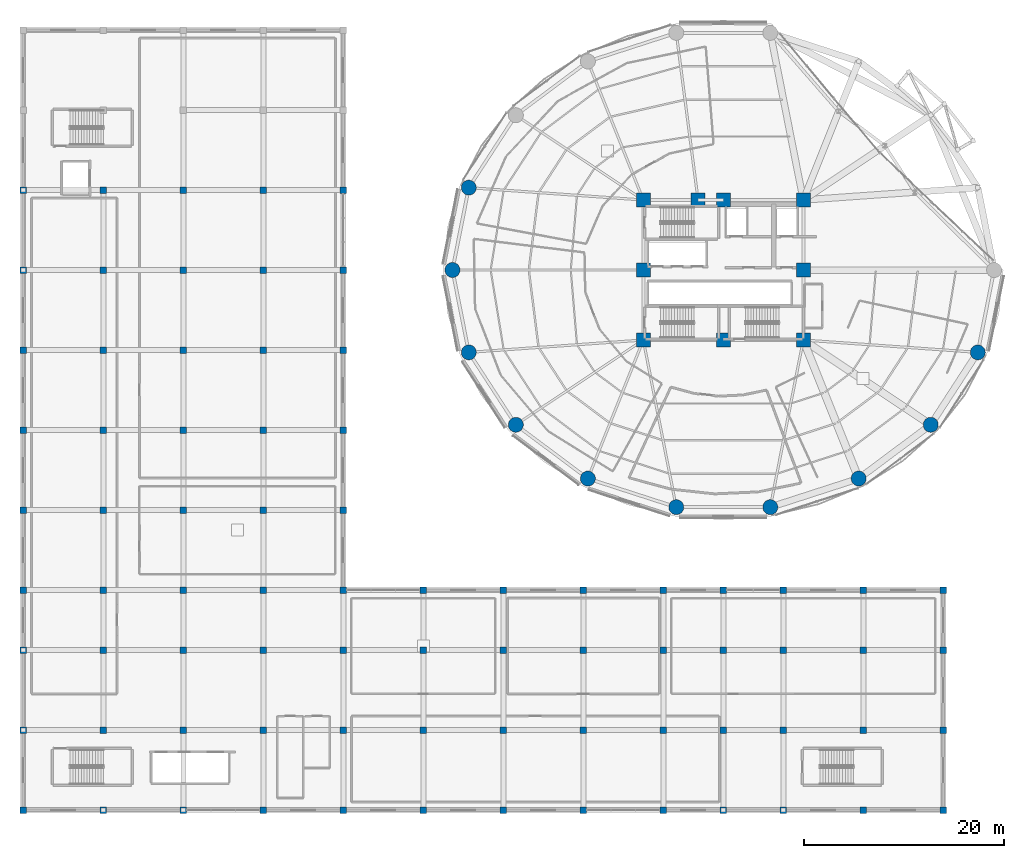
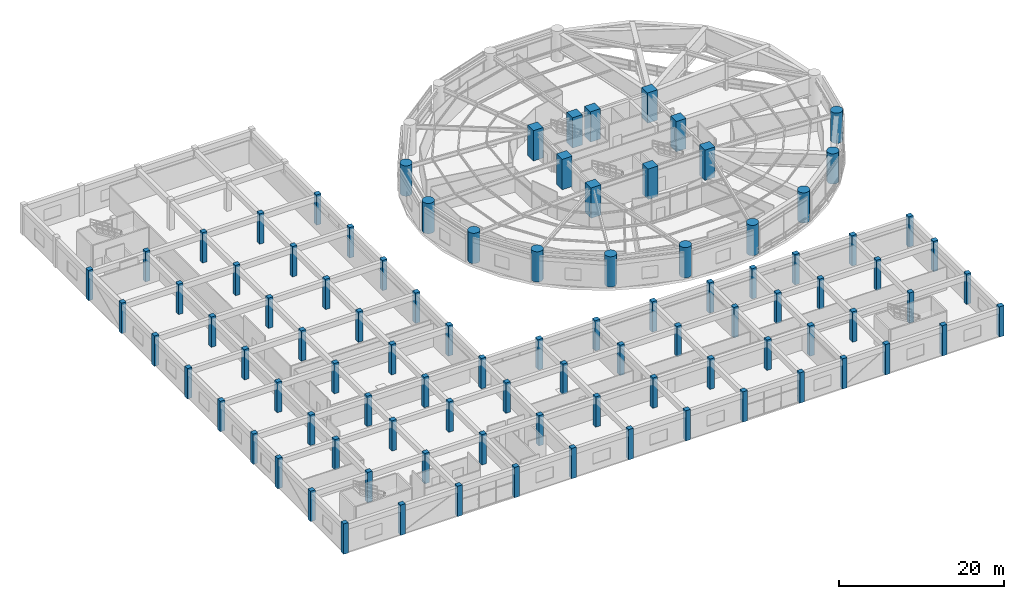
# One storey, part 1 of 52: 96 columns.
"""IFC4 building model written with IfcOpenShell, lengths in metres."""

import ifcopenshell
import ifcopenshell.guid

model = None  # the IFC model being written
_history = None  # IfcOwnerHistory: only IFC2X3 demands one
_inside = {}  # id of a spatial element -> (the spatial element, [elements in it])
_under = {}  # id of a project, library or spatial element -> (it, [spatial elements below it])
_declared = {}  # id of a project -> (the project, [libraries it declares])
_typed = {}  # id of a type object -> (the type object, [elements of that type])
_made_of = {}  # id of a material, layer set ... -> (it, [elements and type objects made of it])


def new_model(schema):
    """Start an empty IFC model of exactly this schema.

    Asked for "IFC4X3", IfcOpenShell would pick the latest addendum, in which some entities
    have other attributes; the version numbers below select the first issue.
    IFC2X3 requires an IfcOwnerHistory on every rooted entity: one is made here for all.
    """
    global model, _history
    if schema == "IFC4X3":
        model = ifcopenshell.file(schema_version=(4, 3, 0, 0))
    else:
        model = ifcopenshell.file(schema=schema)
    _inside.clear()
    _under.clear()
    _declared.clear()
    _typed.clear()
    _made_of.clear()
    _history = None
    if model.schema == "IFC2X3":
        org = make("IfcOrganization", Name="unknown")
        user = make(
            "IfcPersonAndOrganization",
            ThePerson=make("IfcPerson", FamilyName="unknown"),
            TheOrganization=org,
        )
        app = make(
            "IfcApplication",
            ApplicationDeveloper=org,
            Version="unknown",
            ApplicationFullName="unknown",
            ApplicationIdentifier="unknown",
        )
        _history = make(
            "IfcOwnerHistory",
            OwningUser=user,
            OwningApplication=app,
            ChangeAction="ADDED",
            CreationDate=0,
        )
    return model


def make(cls, **values):
    """One entity of the class cls with the attributes given. An attribute that is None is left unset."""
    return model.create_entity(
        cls, **{name: value for name, value in values.items() if value is not None}
    )


def rooted(cls, **values):
    """An entity with a GlobalId (a new one), such as an element, a storey or a relation."""
    return make(cls, GlobalId=ifcopenshell.guid.new(), OwnerHistory=_history, **values)


def si_unit(unit_type, name, prefix=None):
    """IfcSIUnit, for example si_unit("LENGTHUNIT", "METRE", prefix="MILLI")."""
    return make("IfcSIUnit", UnitType=unit_type, Prefix=prefix, Name=name)


def assignment(units):
    """IfcUnitAssignment: the units of a project."""
    return None if units is None else make("IfcUnitAssignment", Units=units)


def point(xyz):
    """IfcCartesianPoint."""
    return None if xyz is None else make("IfcCartesianPoint", Coordinates=xyz)


def direction(xyz):
    """IfcDirection."""
    return None if xyz is None else make("IfcDirection", DirectionRatios=xyz)


def frame(location, z_axis=None, x_axis=None):
    """IfcAxis2Placement3D, a coordinate frame: its origin and axes. An axis left out is left unset."""
    return make(
        "IfcAxis2Placement3D",
        Location=point(location),
        Axis=direction(z_axis),
        RefDirection=direction(x_axis),
    )


def frame_2d(location, x_axis=None):
    """IfcAxis2Placement2D, a coordinate frame in the plane: its origin and x axis."""
    return make(
        "IfcAxis2Placement2D", Location=point(location), RefDirection=direction(x_axis)
    )


def origin():
    """The frame at (0, 0, 0) with its axes left unset."""
    return frame((0.0, 0.0, 0.0))


def origin_2d():
    """The frame at (0, 0) in the plane with its x axis left unset."""
    return frame_2d((0.0, 0.0))


def place(relative_to, where):
    """IfcLocalPlacement: puts the frame where relative to a parent placement (None: the world)."""
    return make(
        "IfcLocalPlacement", PlacementRelTo=relative_to, RelativePlacement=where
    )


def context(
    kind, dimensions, precision=None, world=None, true_north=None, identifier=None
):
    """IfcGeometricRepresentationContext, for example the 3D "Model" context."""
    return make(
        "IfcGeometricRepresentationContext",
        ContextIdentifier=identifier,
        ContextType=kind,
        CoordinateSpaceDimension=dimensions,
        Precision=precision,
        WorldCoordinateSystem=world,
        TrueNorth=true_north,
    )


def subcontext(parent, identifier, kind, view, scale=None):
    """IfcGeometricRepresentationSubContext, for example "Body" below "Model"."""
    return make(
        "IfcGeometricRepresentationSubContext",
        ContextIdentifier=identifier,
        ContextType=kind,
        ParentContext=parent,
        TargetScale=scale,
        TargetView=view,
    )


def project(units=None, contexts=None):
    """IfcProject with its units and contexts."""
    return rooted(
        "IfcProject",
        Name="project",
        RepresentationContexts=contexts,
        UnitsInContext=assignment(units),
    )


def spatial(cls, under=None, at=None, **own):
    """A site, building, storey or space (cls), placed at a placement, below another one or the project."""
    s = rooted(cls, ObjectPlacement=at, **own)
    if under is not None:
        _under.setdefault(under.id(), (under, []))[1].append(s)
    return s


def profile(cls, at=None, kind="AREA", **sizes):
    """A parametric profile (cls). Its sizes go by their IFC names, for example OverallWidth=200.0."""
    return make(cls, ProfileType=kind, Position=at, **sizes)


def rectangle(**sizes):
    """IfcRectangleProfileDef."""
    return profile("IfcRectangleProfileDef", **sizes)


def circle(**sizes):
    """IfcCircleProfileDef."""
    return profile("IfcCircleProfileDef", **sizes)


def extrude(swept, where, along, depth):
    """IfcExtrudedAreaSolid: the profile swept, set in the frame where, extruded along a direction by depth."""
    return make(
        "IfcExtrudedAreaSolid",
        SweptArea=swept,
        Position=where,
        ExtrudedDirection=direction(along),
        Depth=depth,
    )


def shape(context_of_items, identifier, shape_type, items):
    """IfcShapeRepresentation: the items that make up one representation, for example the "Body"."""
    return make(
        "IfcShapeRepresentation",
        ContextOfItems=context_of_items,
        RepresentationIdentifier=identifier,
        RepresentationType=shape_type,
        Items=items,
    )


def material(Name=None, Category=None):
    """IfcMaterial."""
    return make("IfcMaterial", Name=Name, Category=Category)


def material_profile(
    of_material, cross_section, Name=None, Category=None, Priority=None
):
    """IfcMaterialProfile: a cross section and its material."""
    return make(
        "IfcMaterialProfile",
        Name=Name,
        Material=of_material,
        Profile=cross_section,
        Priority=Priority,
        Category=Category,
    )


def profile_set(profiles, Name=None, composite=None):
    """IfcMaterialProfileSet."""
    return make(
        "IfcMaterialProfileSet",
        Name=Name,
        MaterialProfiles=profiles,
        CompositeProfile=composite,
    )


def made_of(thing, what):
    """Note that an element or type object is made of a material, layer set ...; save() writes the relation."""
    if what is not None:
        _made_of.setdefault(what.id(), (what, []))[1].append(thing)
    return thing


def type_object(cls, material=None, **own):
    """A type object (cls), such as IfcWallType, which elements share."""
    return made_of(rooted(cls, **own), material)


def element(
    cls,
    number,
    at=None,
    inside=None,
    cuts=None,
    type_object=None,
    material=None,
    context=None,
    identifier="Body",
    shape_type=None,
    held_by="IfcProductDefinitionShape",
    body=None,
    shapes=None,
    **own,
):
    """One element of the class cls, such as IfcWall. Its Tag is "e" and its number.

    at: its placement. inside: the storey or other place that contains it. cuts: it is an
    opening in that element (IfcRelVoidsElement). A single representation is given by context,
    identifier, shape_type and body (its items); several are given by shapes. held_by: the class
    of the entity that holds the representations. save() writes the other relations.
    """
    e = rooted(cls, Tag="e%d" % number, ObjectPlacement=at, **own)
    if body is not None:
        shapes = [shape(context, identifier, shape_type, body)]
    if shapes is not None:
        e.Representation = make(held_by, Representations=shapes)
    if inside is not None:
        _inside.setdefault(inside.id(), (inside, []))[1].append(e)
    if cuts is not None:
        rooted(
            "IfcRelVoidsElement", RelatingBuildingElement=cuts, RelatedOpeningElement=e
        )
    if type_object is not None:
        _typed.setdefault(type_object.id(), (type_object, []))[1].append(e)
    return made_of(e, material)


def aggregate(whole, parts):
    """IfcRelAggregates: a whole, such as a stair, and the parts it consists of."""
    return rooted("IfcRelAggregates", RelatingObject=whole, RelatedObjects=parts)


def save(model, path):
    """Write the relations noted so far, then the file.

    IfcRelAggregates (storeys below a building ...), IfcRelContainedInSpatialStructure (elements
    in a storey), IfcRelDefinesByType, IfcRelAssociatesMaterial and IfcRelDeclares: one each for
    every whole, place, type object, material and project.
    """
    for whole, parts in _under.values():
        aggregate(whole, parts)
    for where, things in _inside.values():
        rooted(
            "IfcRelContainedInSpatialStructure",
            RelatedElements=things,
            RelatingStructure=where,
        )
    for kind, things in _typed.values():
        rooted("IfcRelDefinesByType", RelatedObjects=things, RelatingType=kind)
    for what, things in _made_of.values():
        rooted("IfcRelAssociatesMaterial", RelatedObjects=things, RelatingMaterial=what)
    for by, libraries in _declared.values():
        rooted("IfcRelDeclares", RelatingContext=by, RelatedDefinitions=libraries)
    model.write(path)


model = new_model("IFC4")

# Units and contexts
model_context = context("Model", 3, precision=1e-05, world=origin(), true_north=direction((0.0, 1.0)))
body_context = subcontext(model_context, "Body", "Model", "MODEL_VIEW")
ifc_project = project(units=[si_unit("LENGTHUNIT", "METRE"), si_unit("AREAUNIT", "SQUARE_METRE"), si_unit("VOLUMEUNIT", "CUBIC_METRE"), si_unit("PLANEANGLEUNIT", "RADIAN"), si_unit("MASSUNIT", "GRAM", prefix="KILO")], contexts=[model_context])

# Site, building, storey
site_placement = place(None, origin())
site = spatial("IfcSite", under=ifc_project, at=site_placement, CompositionType="ELEMENT")
building_placement = place(site_placement, origin())
building = spatial("IfcBuilding", under=site, at=building_placement, Name="Kelanora Arch Commons", CompositionType="ELEMENT")
storey_placement = place(building_placement, frame((0.0, 0.0, 13.5)))
storey = spatial("IfcBuildingStorey", under=building, at=storey_placement, Name="L03", CompositionType="ELEMENT", Elevation=13.5)

# Columns
ifc_material_1 = material(Name="Concrete C50/60", Category="concrete")
ifc_material_profile_1 = material_profile(ifc_material_1, rectangle(XDim=0.64990234375, YDim=0.64990234375, at=origin_2d()), Name="RC650x650")
ifc_profile_set_1 = profile_set([ifc_material_profile_1], Name="Concrete C50/60")
column_type_1 = type_object("IfcColumnType", Name="COL-MKT-UP", PredefinedType="COLUMN", material=ifc_profile_set_1)
for number, where, z_axis, x_axis, name in (
    (1, (4.0, 4.0, 0.0), (0.0, 0.0, 1.0), (1.0, 0.0, 0.0), "Market Hall Column 1-A L03"),
    (2, (4.0, 12.0, 0.0), (0.0, 0.0, 1.0), (1.0, 0.0, 0.0), "Market Hall Column 1-B L03"),
    (3, (4.0, 20.0, 0.0), (0.0, 0.0, 1.0), (1.0, 0.0, 0.0), "Market Hall Column 1-C L03"),
    (4, (4.0, 26.0, 0.0), (0.0, 0.0, 1.0), (1.0, 0.0, 0.0), "Market Hall Column 1-D L03"),
    (5, (4.0, 34.0, 0.0), (0.0, 0.0, 1.0), (1.0, 0.0, 0.0), "Market Hall Column 1-E L03"),
    (6, (4.0, 42.0, 0.0), (0.0, 0.0, 1.0), (1.0, 0.0, 0.0), "Market Hall Column 1-F L03"),
    (7, (4.0, 50.0, 0.0), (0.0, 0.0, 1.0), (1.0, 0.0, 0.0), "Market Hall Column 1-G L03"),
    (8, (4.0, 58.0, 0.0), (0.0, 0.0, 1.0), (1.0, 0.0, 0.0), "Market Hall Column 1-H L03"),
    (9, (4.0, 66.0, 0.0), (0.0, 0.0, 1.0), (1.0, 0.0, 0.0), "Market Hall Column 1-J L03"),
    (10, (12.0, 4.0, 0.0), (0.0, 0.0, 1.0), (1.0, 0.0, 0.0), "Market Hall Column 2-A L03"),
    (11, (12.0, 12.0, 0.0), (0.0, 0.0, 1.0), (1.0, 0.0, 0.0), "Market Hall Column 2-B L03"),
    (12, (12.0, 20.0, 0.0), (0.0, 0.0, 1.0), (1.0, 0.0, 0.0), "Market Hall Column 2-C L03"),
    (13, (12.0, 26.0, 0.0), (0.0, 0.0, 1.0), (1.0, 0.0, 0.0), "Market Hall Column 2-D L03"),
    (14, (12.0, 34.0, 0.0), (0.0, 0.0, 1.0), (1.0, 0.0, 0.0), "Market Hall Column 2-E L03"),
    (15, (12.0, 42.0, 0.0), (0.0, 0.0, 1.0), (1.0, 0.0, 0.0), "Market Hall Column 2-F L03"),
    (16, (12.0, 50.0, 0.0), (0.0, 0.0, 1.0), (1.0, 0.0, 0.0), "Market Hall Column 2-G L03"),
    (17, (12.0, 58.0, 0.0), (0.0, 0.0, 1.0), (1.0, 0.0, 0.0), "Market Hall Column 2-H L03"),
    (18, (12.0, 66.0, 0.0), (0.0, 0.0, 1.0), (1.0, 0.0, 0.0), "Market Hall Column 2-J L03"),
    (19, (20.0, 4.0, 0.0), (0.0, 0.0, 1.0), (1.0, 0.0, 0.0), "Market Hall Column 3-A L03"),
    (20, (20.0, 12.0, 0.0), (0.0, 0.0, 1.0), (1.0, 0.0, 0.0), "Market Hall Column 3-B L03"),
    (21, (20.0, 20.0, 0.0), (0.0, 0.0, 1.0), (1.0, 0.0, 0.0), "Market Hall Column 3-C L03"),
    (22, (20.0, 26.0, 0.0), (0.0, 0.0, 1.0), (1.0, 0.0, 0.0), "Market Hall Column 3-D L03"),
    (23, (20.0, 34.0, 0.0), (0.0, 0.0, 1.0), (1.0, 0.0, 0.0), "Market Hall Column 3-E L03"),
    (24, (20.0, 42.0, 0.0), (0.0, 0.0, 1.0), (1.0, 0.0, 0.0), "Market Hall Column 3-F L03"),
    (25, (20.0, 50.0, 0.0), (0.0, 0.0, 1.0), (1.0, 0.0, 0.0), "Market Hall Column 3-G L03"),
    (26, (20.0, 58.0, 0.0), (0.0, 0.0, 1.0), (1.0, 0.0, 0.0), "Market Hall Column 3-H L03"),
    (27, (20.0, 66.0, 0.0), (0.0, 0.0, 1.0), (1.0, 0.0, 0.0), "Market Hall Column 3-J L03"),
    (28, (28.0, 4.0, 0.0), (0.0, 0.0, 1.0), (1.0, 0.0, 0.0), "Market Hall Column 4-A L03"),
    (29, (28.0, 12.0, 0.0), (0.0, 0.0, 1.0), (1.0, 0.0, 0.0), "Market Hall Column 4-B L03"),
    (30, (28.0, 20.0, 0.0), (0.0, 0.0, 1.0), (1.0, 0.0, 0.0), "Market Hall Column 4-C L03"),
    (31, (28.0, 26.0, 0.0), (0.0, 0.0, 1.0), (1.0, 0.0, 0.0), "Market Hall Column 4-D L03"),
    (32, (28.0, 34.0, 0.0), (0.0, 0.0, 1.0), (1.0, 0.0, 0.0), "Market Hall Column 4-E L03"),
    (33, (28.0, 42.0, 0.0), (0.0, 0.0, 1.0), (1.0, 0.0, 0.0), "Market Hall Column 4-F L03"),
    (34, (28.0, 50.0, 0.0), (0.0, 0.0, 1.0), (1.0, 0.0, 0.0), "Market Hall Column 4-G L03"),
    (35, (28.0, 58.0, 0.0), (0.0, 0.0, 1.0), (1.0, 0.0, 0.0), "Market Hall Column 4-H L03"),
    (36, (28.0, 66.0, 0.0), (0.0, 0.0, 1.0), (1.0, 0.0, 0.0), "Market Hall Column 4-J L03"),
    (37, (36.0, 4.0, 0.0), (0.0, 0.0, 1.0), (1.0, 0.0, 0.0), "Market Hall Column 5-A L03"),
    (38, (36.0, 12.0, 0.0), (0.0, 0.0, 1.0), (1.0, 0.0, 0.0), "Market Hall Column 5-B L03"),
    (39, (36.0, 20.0, 0.0), (0.0, 0.0, 1.0), (1.0, 0.0, 0.0), "Market Hall Column 5-C L03"),
    (40, (36.0, 26.0, 0.0), (0.0, 0.0, 1.0), (1.0, 0.0, 0.0), "Market Hall Column 5-D L03"),
    (41, (36.0, 34.0, 0.0), (0.0, 0.0, 1.0), (1.0, 0.0, 0.0), "Market Hall Column 5-E L03"),
    (42, (36.0, 42.0, 0.0), (0.0, 0.0, 1.0), (1.0, 0.0, 0.0), "Market Hall Column 5-F L03"),
    (43, (36.0, 50.0, 0.0), (0.0, 0.0, 1.0), (1.0, 0.0, 0.0), "Market Hall Column 5-G L03"),
    (44, (36.0, 58.0, 0.0), (0.0, 0.0, 1.0), (1.0, 0.0, 0.0), "Market Hall Column 5-H L03"),
    (45, (36.0, 66.0, 0.0), (0.0, 0.0, 1.0), (1.0, 0.0, 0.0), "Market Hall Column 5-J L03"),
    (46, (44.0, 4.0, 0.0), (0.0, 0.0, 1.0), (1.0, 0.0, 0.0), "Market Hall Column 6-A L03"),
    (47, (44.0, 12.0, 0.0), (0.0, 0.0, 1.0), (1.0, 0.0, 0.0), "Market Hall Column 6-B L03"),
    (48, (44.0, 20.0, 0.0), (0.0, 0.0, 1.0), (1.0, 0.0, 0.0), "Market Hall Column 6-C L03"),
    (49, (44.0, 26.0, 0.0), (0.0, 0.0, 1.0), (1.0, 0.0, 0.0), "Market Hall Column 6-D L03"),
    (50, (52.0, 4.0, 0.0), (0.0, 0.0, 1.0), (1.0, 0.0, 0.0), "Market Hall Column 7-A L03"),
    (51, (52.0, 12.0, 0.0), (0.0, 0.0, 1.0), (1.0, 0.0, 0.0), "Market Hall Column 7-B L03"),
    (52, (52.0, 20.0, 0.0), (0.0, 0.0, 1.0), (1.0, 0.0, 0.0), "Market Hall Column 7-C L03"),
    (53, (52.0, 26.0, 0.0), (0.0, 0.0, 1.0), (1.0, 0.0, 0.0), "Market Hall Column 7-D L03"),
    (54, (60.0, 4.0, 0.0), (0.0, 0.0, 1.0), (1.0, 0.0, 0.0), "Market Hall Column 8-A L03"),
    (55, (60.0, 12.0, 0.0), (0.0, 0.0, 1.0), (1.0, 0.0, 0.0), "Market Hall Column 8-B L03"),
    (56, (60.0, 20.0, 0.0), (0.0, 0.0, 1.0), (1.0, 0.0, 0.0), "Market Hall Column 8-C L03"),
    (57, (60.0, 26.0, 0.0), (0.0, 0.0, 1.0), (1.0, 0.0, 0.0), "Market Hall Column 8-D L03"),
    (58, (68.0, 4.0, 0.0), (0.0, 0.0, 1.0), (1.0, 0.0, 0.0), "Market Hall Column 9-A L03"),
    (59, (68.0, 12.0, 0.0), (0.0, 0.0, 1.0), (1.0, 0.0, 0.0), "Market Hall Column 9-B L03"),
    (60, (68.0, 20.0, 0.0), (0.0, 0.0, 1.0), (1.0, 0.0, 0.0), "Market Hall Column 9-C L03"),
    (61, (68.0, 26.0, 0.0), (0.0, 0.0, 1.0), (1.0, 0.0, 0.0), "Market Hall Column 9-D L03"),
    (62, (74.0, 4.0, 0.0), (0.0, 0.0, 1.0), (1.0, 0.0, 0.0), "Market Hall Column 10-A L03"),
    (63, (74.0, 12.0, 0.0), (0.0, 0.0, 1.0), (1.0, 0.0, 0.0), "Market Hall Column 10-B L03"),
    (64, (74.0, 20.0, 0.0), (0.0, 0.0, 1.0), (1.0, 0.0, 0.0), "Market Hall Column 10-C L03"),
    (65, (74.0, 26.0, 0.0), (0.0, 0.0, 1.0), (1.0, 0.0, 0.0), "Market Hall Column 10-D L03"),
    (66, (80.0, 4.0, 0.0), (0.0, 0.0, 1.0), (1.0, 0.0, 0.0), "Market Hall Column 11-A L03"),
    (67, (80.0, 12.0, 0.0), (0.0, 0.0, 1.0), (1.0, 0.0, 0.0), "Market Hall Column 11-B L03"),
    (68, (80.0, 20.0, 0.0), (0.0, 0.0, 1.0), (1.0, 0.0, 0.0), "Market Hall Column 11-C L03"),
    (69, (80.0, 26.0, 0.0), (0.0, 0.0, 1.0), (1.0, 0.0, 0.0), "Market Hall Column 11-D L03"),
    (70, (88.0, 4.0, 0.0), (0.0, 0.0, 1.0), (1.0, 0.0, 0.0), "Market Hall Column 12-A L03"),
    (71, (88.0, 12.0, 0.0), (0.0, 0.0, 1.0), (1.0, 0.0, 0.0), "Market Hall Column 12-B L03"),
    (72, (88.0, 20.0, 0.0), (0.0, 0.0, 1.0), (1.0, 0.0, 0.0), "Market Hall Column 12-C L03"),
    (73, (88.0, 26.0, 0.0), (0.0, 0.0, 1.0), (1.0, 0.0, 0.0), "Market Hall Column 12-D L03"),
    (74, (96.0, 4.0, 0.0), (0.0, 0.0, 1.0), (1.0, 0.0, 0.0), "Market Hall Column 13-A L03"),
    (75, (96.0, 12.0, 0.0), (0.0, 0.0, 1.0), (1.0, 0.0, 0.0), "Market Hall Column 13-B L03"),
    (76, (96.0, 20.0, 0.0), (0.0, 0.0, 1.0), (1.0, 0.0, 0.0), "Market Hall Column 13-C L03"),
    (77, (96.0, 26.0, 0.0), (0.0, 0.0, 1.0), (1.0, 0.0, 0.0), "Market Hall Column 13-D L03"),
):
    element("IfcColumn", number, at=place(storey_placement, frame(where, z_axis=z_axis, x_axis=x_axis)), inside=storey, type_object=column_type_1, Name=name, PredefinedType="COLUMN", context=body_context, shape_type="SweptSolid", body=[
        extrude(rectangle(XDim=0.64990234375, YDim=0.64990234375, at=origin_2d()), origin(), (0.0, 0.0, 1.0), 4.5),
    ])
ifc_material_2 = material(Name="Concrete C60/75", Category="concrete")
ifc_material_profile_2 = material_profile(ifc_material_2, circle(Radius=0.75, at=origin_2d()), Name="RCC1500")
ifc_profile_set_2 = profile_set([ifc_material_profile_2], Name="Concrete C60/75")
column_type_2 = type_object("IfcColumnType", Name="COL-PERIM-Z1", PredefinedType="COLUMN", material=ifc_profile_set_2)
for number, where, z_axis, x_axis, name in (
    (78, (48.552978515625, 66.23583984375, 0.0), (0.0, 0.0, 1.0), (1.0, 0.0, 0.0), "Perimeter Ring Column CP-16 L03"),
    (79, (46.919921875, 58.0, 0.0), (0.0, 0.0, 1.0), (1.0, 0.0, 0.0), "Perimeter Ring Column CP-18 L03"),
    (80, (48.552978515625, 49.76416015625, 0.0), (0.0, 0.0, 1.0), (1.0, 0.0, 0.0), "Perimeter Ring Column CP-20 L03"),
    (81, (53.255615234375, 42.521728515625, 0.0), (0.0, 0.0, 1.0), (1.0, 0.0, 0.0), "Perimeter Ring Column CP-22 L03"),
    (82, (60.4599609375, 37.14599609375, 0.0), (0.0, 0.0, 1.0), (1.0, 0.0, 0.0), "Perimeter Ring Column CP-24 L03"),
    (83, (69.297607421875, 34.285888671875, 0.0), (0.0, 0.0, 1.0), (1.0, 0.0, 0.0), "Perimeter Ring Column CP-26 L03"),
    (84, (78.702392578125, 34.285888671875, 0.0), (0.0, 0.0, 1.0), (1.0, 0.0, 0.0), "Perimeter Ring Column CP-28 L03"),
    (85, (87.5400390625, 37.14599609375, 0.0), (0.0, 0.0, 1.0), (1.0, 0.0, 0.0), "Perimeter Ring Column CP-30 L03"),
    (86, (94.744384765625, 42.521728515625, 0.0), (0.0, 0.0, 1.0), (1.0, 0.0, 0.0), "Perimeter Ring Column CP-32 L03"),
    (87, (99.447021484375, 49.76416015625, 0.0), (0.0, 0.0, 1.0), (1.0, 0.0, 0.0), "Perimeter Ring Column CP-34 L03"),
):
    element("IfcColumn", number, at=place(storey_placement, frame(where, z_axis=z_axis, x_axis=x_axis)), inside=storey, type_object=column_type_2, Name=name, PredefinedType="COLUMN", context=body_context, shape_type="SweptSolid", body=[
        extrude(circle(Radius=0.75, at=origin_2d()), origin(), (0.0, 0.0, 1.0), 4.5),
    ])
ifc_material_profile_3 = material_profile(ifc_material_2, rectangle(XDim=1.39990234375, YDim=1.39990234375, at=origin_2d()), Name="RC1400x1400")
ifc_profile_set_3 = profile_set([ifc_material_profile_3], Name="Concrete C60/75")
column_type_3 = type_object("IfcColumnType", Name="COL-PIL-LOW", PredefinedType="PILASTER", material=ifc_profile_set_3)
for number, where, z_axis, x_axis, name in (
    (88, (66.0, 51.0, 0.0), (0.0, 0.0, 1.0), (1.0, 0.0, 0.0), "Core Pilaster Column CP1 L03"),
    (89, (74.0, 51.0, 0.0), (0.0, 0.0, 1.0), (1.0, 0.0, 0.0), "Core Pilaster Column CP2 L03"),
    (90, (82.0, 51.0, 0.0), (0.0, 0.0, 1.0), (1.0, 0.0, 0.0), "Core Pilaster Column CP3 L03"),
    (91, (82.0, 58.0, 0.0), (0.0, 0.0, 1.0), (1.0, 0.0, 0.0), "Core Pilaster Column CP4 L03"),
    (92, (82.0, 65.0, 0.0), (0.0, 0.0, 1.0), (1.0, 0.0, 0.0), "Core Pilaster Column CP5 L03"),
    (93, (74.0, 65.0, 0.0), (0.0, 0.0, 1.0), (1.0, 0.0, 0.0), "Core Pilaster Column CP6 L03"),
    (94, (71.47998046875, 65.0, 0.0), (0.0, 0.0, 1.0), (1.0, 0.0, 0.0), "Core Pilaster Column CP9 L03"),
    (95, (66.0, 65.0, 0.0), (0.0, 0.0, 1.0), (1.0, 0.0, 0.0), "Core Pilaster Column CP7 L03"),
    (96, (66.0, 58.0, 0.0), (0.0, 0.0, 1.0), (1.0, 0.0, 0.0), "Core Pilaster Column CP8 L03"),
):
    element("IfcColumn", number, at=place(storey_placement, frame(where, z_axis=z_axis, x_axis=x_axis)), inside=storey, type_object=column_type_3, Name=name, PredefinedType="PILASTER", context=body_context, shape_type="SweptSolid", body=[
        extrude(rectangle(XDim=1.39990234375, YDim=1.39990234375, at=origin_2d()), origin(), (0.0, 0.0, 1.0), 4.5),
    ])

save(model, "model.ifc")
